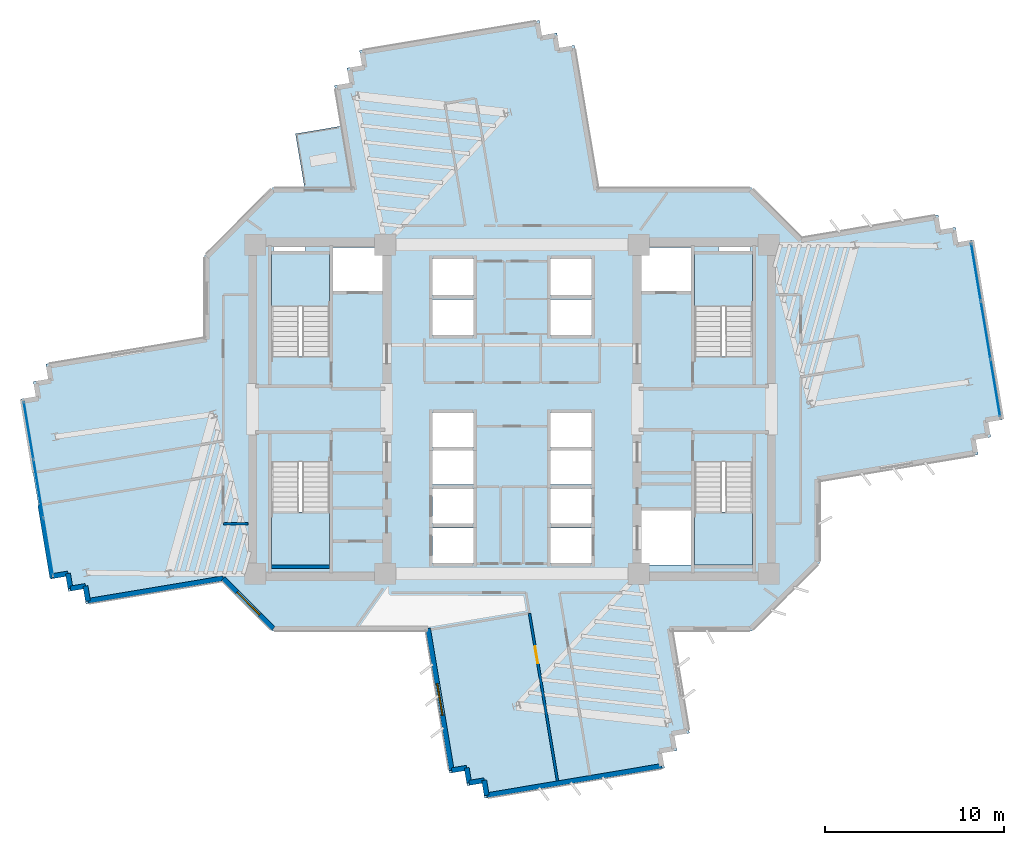
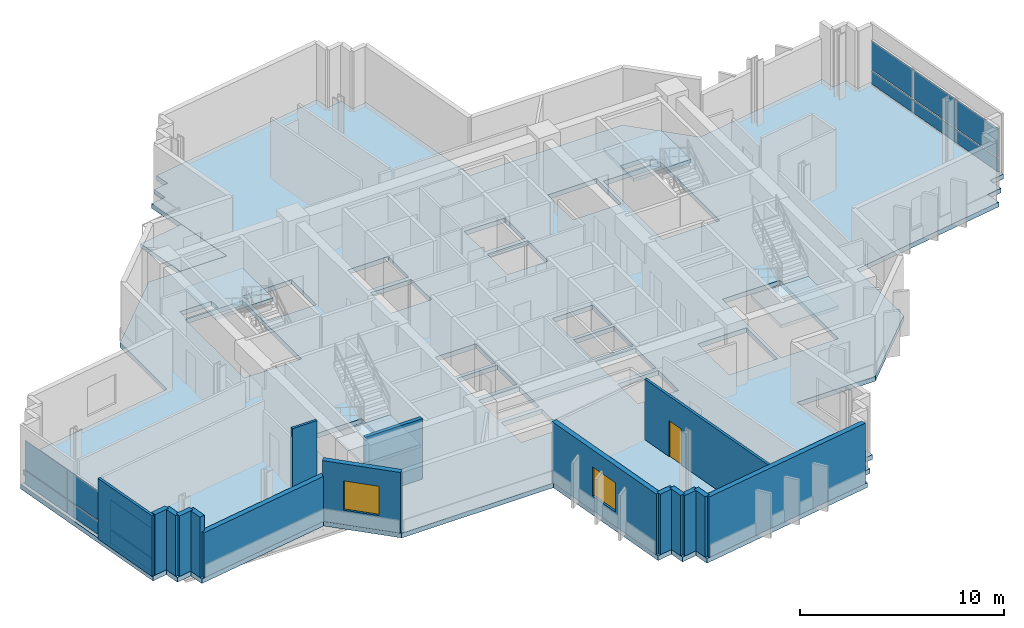
# One storey, part 6 of 15: 16 walls, 12 plates, 6 slabs, 2 windows, 1 door, 3 openings, 6 elements without a shape of their own.
"""IFC4 building model written with IfcOpenShell, lengths in metres."""

from ifc_helpers import new_model, si_unit, direction, frame, frame_2d, origin, origin_2d, place, context, subcontext, project, spatial, polyline, rectangle, outline, extrude, source, transform, mapped, material, layer, layer_set, type_object, element, fill, aggregate, save


model = new_model("IFC4")

# Units and contexts
model_context = context("Model", 3, precision=1e-05, world=origin(), true_north=direction((0.0, 1.0)))
body_context = subcontext(model_context, "Body", "Model", "MODEL_VIEW")
ifc_project = project(units=[si_unit("LENGTHUNIT", "METRE"), si_unit("AREAUNIT", "SQUARE_METRE"), si_unit("VOLUMEUNIT", "CUBIC_METRE"), si_unit("PLANEANGLEUNIT", "RADIAN"), si_unit("MASSUNIT", "GRAM", prefix="KILO")], contexts=[model_context])

# Site, building, storey
site_placement = place(None, origin())
site = spatial("IfcSite", under=ifc_project, at=site_placement, CompositionType="ELEMENT")
building_placement = place(site_placement, origin())
building = spatial("IfcBuilding", under=site, at=building_placement, Name="Zahravan Cultural Tower", CompositionType="ELEMENT")
storey_placement = place(building_placement, frame((0.0, 0.0, 135.60009765625)))
storey = spatial("IfcBuildingStorey", under=building, at=storey_placement, Name="L30", CompositionType="ELEMENT", Elevation=135.60009765625)

# Slab
ifc_material_1 = material(Name="Concrete C45/55", Category="concrete")
ifc_layer_1 = layer(ifc_material_1, 0.280029296875)
ifc_layer_set_1 = layer_set([ifc_layer_1], Name="Concrete C45/55")
slab_type_1 = type_object("IfcSlabType", Name="SL-LIB-280", PredefinedType="FLOOR", material=ifc_layer_set_1)
slab_1_placement = place(storey_placement, frame((0.0, 0.0, -0.280029296875)))
element("IfcSlab", 1, at=slab_1_placement, inside=storey, type_object=slab_type_1, Name="L30 Structural Floor Slab", PredefinedType="FLOOR", context=body_context, shape_type="SweptSolid", body=[
    extrude(outline(polyline([(52.1953125, 36.604736328125), (49.39990234375, 39.39990234375), (40.819580078125, 39.39990234375), (39.48828125, 47.35498046875), (38.64990234375, 47.214599609375), (38.509765625, 48.052978515625), (37.67138671875, 47.91259765625), (37.531005859375, 48.7509765625), (27.470947265625, 47.0673828125), (27.611083984375, 46.229248046875), (26.77294921875, 46.0888671875), (26.9130859375, 45.25048828125), (26.07470703125, 45.110107421875), (27.030517578125, 39.39990234375), (22.60009765625, 39.39990234375), (18.800048828125, 35.60009765625), (18.800048828125, 31.01611328125), (9.9248046875, 29.531005859375), (10.06494140625, 28.692626953125), (9.2265625, 28.552490234375), (9.366943359375, 27.714111328125), (8.528564453125, 27.57373046875), (10.2119140625, 17.513671875), (11.05029296875, 17.65380859375), (11.190673828125, 16.815673828125), (12.029052734375, 16.955810546875), (12.169189453125, 16.11767578125), (19.8046875, 17.395263671875), (22.60009765625, 14.60009765625), (31.180419921875, 14.60009765625), (32.51171875, 6.64501953125), (33.35009765625, 6.785400390625), (33.490234375, 5.947021484375), (34.32861328125, 6.08740234375), (34.468994140625, 5.2490234375), (44.529052734375, 6.9326171875), (44.388916015625, 7.770751953125), (45.22705078125, 7.9111328125), (45.0869140625, 8.74951171875), (45.92529296875, 8.889892578125), (44.969482421875, 14.60009765625), (49.39990234375, 14.60009765625), (53.199951171875, 18.39990234375), (53.199951171875, 22.98388671875), (62.0751953125, 24.468994140625), (61.93505859375, 25.307373046875), (62.7734375, 25.447509765625), (62.633056640625, 26.285888671875), (63.471435546875, 26.42626953125), (61.7880859375, 36.486328125), (60.94970703125, 36.34619140625), (60.809326171875, 37.184326171875), (59.970947265625, 37.044189453125), (59.830810546875, 37.88232421875), (52.1953125, 36.604736328125)]), holes=[polyline([(22.550048828125, 29.949951171875), (22.550048828125, 35.699951171875), (25.800048828125, 35.699951171875), (25.800048828125, 29.949951171875), (22.550048828125, 29.949951171875)]), polyline([(22.550048828125, 18.300048828125), (22.550048828125, 24.050048828125), (25.800048828125, 24.050048828125), (25.800048828125, 18.300048828125), (22.550048828125, 18.300048828125)]), polyline([(46.199951171875, 29.949951171875), (46.199951171875, 35.699951171875), (49.449951171875, 35.699951171875), (49.449951171875, 29.949951171875), (46.199951171875, 29.949951171875)]), polyline([(46.199951171875, 18.300048828125), (46.199951171875, 24.050048828125), (49.449951171875, 24.050048828125), (49.449951171875, 18.300048828125), (46.199951171875, 18.300048828125)]), polyline([(26.0, 33.60009765625), (26.0, 36.050048828125), (28.75, 36.050048828125), (28.75, 33.60009765625), (26.0, 33.60009765625)]), polyline([(43.25, 33.60009765625), (43.25, 36.050048828125), (46.0, 36.050048828125), (46.0, 33.60009765625), (43.25, 33.60009765625)]), polyline([(43.25, 18.300048828125), (43.25, 21.35009765625), (46.0, 21.35009765625), (46.0, 18.300048828125), (43.25, 18.300048828125)]), polyline([(31.550048828125, 33.39990234375), (31.550048828125, 35.39990234375), (33.85009765625, 35.39990234375), (33.85009765625, 33.39990234375), (31.550048828125, 33.39990234375)]), polyline([(31.550048828125, 31.14990234375), (31.550048828125, 33.14990234375), (33.85009765625, 33.14990234375), (33.85009765625, 31.14990234375), (31.550048828125, 31.14990234375)]), polyline([(38.14990234375, 33.39990234375), (38.14990234375, 35.39990234375), (40.449951171875, 35.39990234375), (40.449951171875, 33.39990234375), (38.14990234375, 33.39990234375)]), polyline([(38.14990234375, 31.14990234375), (38.14990234375, 33.14990234375), (40.449951171875, 33.14990234375), (40.449951171875, 31.14990234375), (38.14990234375, 31.14990234375)]), polyline([(31.550048828125, 20.60009765625), (31.550048828125, 22.550048828125), (33.85009765625, 22.550048828125), (33.85009765625, 20.60009765625), (31.550048828125, 20.60009765625)]), polyline([(31.550048828125, 18.39990234375), (31.550048828125, 20.35009765625), (33.85009765625, 20.35009765625), (33.85009765625, 18.39990234375), (31.550048828125, 18.39990234375)]), polyline([(38.14990234375, 20.60009765625), (38.14990234375, 22.550048828125), (40.449951171875, 22.550048828125), (40.449951171875, 20.60009765625), (38.14990234375, 20.60009765625)]), polyline([(38.14990234375, 18.39990234375), (38.14990234375, 20.35009765625), (40.449951171875, 20.35009765625), (40.449951171875, 18.39990234375), (38.14990234375, 18.39990234375)]), polyline([(31.550048828125, 24.89990234375), (31.550048828125, 26.800048828125), (33.85009765625, 26.800048828125), (33.85009765625, 24.89990234375), (31.550048828125, 24.89990234375)]), polyline([(31.550048828125, 22.800048828125), (31.550048828125, 24.699951171875), (33.85009765625, 24.699951171875), (33.85009765625, 22.800048828125), (31.550048828125, 22.800048828125)]), polyline([(38.14990234375, 24.89990234375), (38.14990234375, 26.800048828125), (40.449951171875, 26.800048828125), (40.449951171875, 24.89990234375), (38.14990234375, 24.89990234375)]), polyline([(38.14990234375, 22.800048828125), (38.14990234375, 24.699951171875), (40.449951171875, 24.699951171875), (40.449951171875, 22.800048828125), (38.14990234375, 22.800048828125)]), polyline([(22.64990234375, 35.800048828125), (22.64990234375, 36.419921875), (24.449951171875, 36.419921875), (24.449951171875, 35.800048828125), (22.64990234375, 35.800048828125)]), polyline([(47.550048828125, 35.800048828125), (47.550048828125, 36.419921875), (49.35009765625, 36.419921875), (49.35009765625, 35.800048828125), (47.550048828125, 35.800048828125)])]), origin(), (0.0, 0.0, 1.0), 0.280029296875),
])

# Stair, slab
stair_type = type_object("IfcStairType", Name="STR-DL-1550-390", PredefinedType="HALF_TURN_STAIR", material=ifc_material_1)
stair_1_placement = place(storey_placement, origin())
stair_1 = element("IfcStair", 2, at=stair_1_placement, inside=storey, type_object=stair_type, Name="L30 West Core North Exit Stair ST-W1", PredefinedType="HALF_TURN_STAIR")
ifc_layer_2 = layer(ifc_material_1, 0.199951171875)
ifc_layer_set_2 = layer_set([ifc_layer_2], Name="Concrete C45/55")
slab_type_2 = type_object("IfcSlabType", Name="SL-STAIR-LND200", PredefinedType="LANDING", material=ifc_layer_set_2)
slab_2_placement = place(storey_placement, frame((0.0, 0.0, 1.75)))
slab_2 = element("IfcSlab", 3, at=slab_2_placement, type_object=slab_type_2, Name="ST-W1 landing 1", PredefinedType="LANDING", context=body_context, shape_type="SweptSolid", body=[
    extrude(outline(polyline([(25.800048828125, 32.75), (25.800048828125, 35.699951171875), (22.550048828125, 35.699951171875), (22.550048828125, 32.75), (25.800048828125, 32.75)])), origin(), (0.0, 0.0, 1.0), 0.199951171875),
])
aggregate(stair_1, [slab_2])

stair_2_placement = place(storey_placement, origin())
stair_2 = element("IfcStair", 4, at=stair_2_placement, inside=storey, type_object=stair_type, Name="L30 West Core South Exit Stair ST-W2", PredefinedType="HALF_TURN_STAIR")
slab_3_placement = place(storey_placement, frame((0.0, 0.0, 1.75)))
slab_3 = element("IfcSlab", 5, at=slab_3_placement, type_object=slab_type_2, Name="ST-W2 landing 1", PredefinedType="LANDING", context=body_context, shape_type="SweptSolid", body=[
    extrude(outline(polyline([(22.550048828125, 21.25), (22.550048828125, 18.300048828125), (25.800048828125, 18.300048828125), (25.800048828125, 21.25), (22.550048828125, 21.25)])), origin(), (0.0, 0.0, 1.0), 0.199951171875),
])
aggregate(stair_2, [slab_3])

stair_3_placement = place(storey_placement, origin())
stair_3 = element("IfcStair", 6, at=stair_3_placement, inside=storey, type_object=stair_type, Name="L30 East Core North Exit Stair ST-E1", PredefinedType="HALF_TURN_STAIR")
slab_4_placement = place(storey_placement, frame((0.0, 0.0, 1.75)))
slab_4 = element("IfcSlab", 7, at=slab_4_placement, type_object=slab_type_2, Name="ST-E1 landing 1", PredefinedType="LANDING", context=body_context, shape_type="SweptSolid", body=[
    extrude(outline(polyline([(49.449951171875, 32.75), (49.449951171875, 35.699951171875), (46.199951171875, 35.699951171875), (46.199951171875, 32.75), (49.449951171875, 32.75)])), origin(), (0.0, 0.0, 1.0), 0.199951171875),
])
aggregate(stair_3, [slab_4])

stair_4_placement = place(storey_placement, origin())
stair_4 = element("IfcStair", 8, at=stair_4_placement, inside=storey, type_object=stair_type, Name="L30 East Core South Exit Stair ST-E2", PredefinedType="HALF_TURN_STAIR")
slab_5_placement = place(storey_placement, frame((0.0, 0.0, 1.75)))
slab_5 = element("IfcSlab", 9, at=slab_5_placement, type_object=slab_type_2, Name="ST-E2 landing 1", PredefinedType="LANDING", context=body_context, shape_type="SweptSolid", body=[
    extrude(outline(polyline([(46.199951171875, 21.25), (46.199951171875, 18.300048828125), (49.449951171875, 18.300048828125), (49.449951171875, 21.25), (46.199951171875, 21.25)])), origin(), (0.0, 0.0, 1.0), 0.199951171875),
])
aggregate(stair_4, [slab_5])

# Slab
ifc_material_2 = material(Name="Concrete C40/50", Category="concrete")
ifc_layer_3 = layer(ifc_material_2, 0.239990234375)
ifc_layer_set_3 = layer_set([ifc_layer_3], Name="Concrete C40/50")
slab_type_3 = type_object("IfcSlabType", Name="SL-TERR-240", PredefinedType="FLOOR", material=ifc_layer_set_3)
slab_6_placement = place(storey_placement, frame((0.0, 0.0, -0.239990234375)))
element("IfcSlab", 10, at=slab_6_placement, inside=storey, type_object=slab_type_3, Name="L30 Planted Sculpture Terrace NW", PredefinedType="FLOOR", context=body_context, shape_type="SweptSolid", body=[
    extrude(outline(polyline([(23.89013671875, 42.41259765625), (24.393310546875, 39.405029296875), (27.0244140625, 39.405029296875), (26.449462890625, 42.841064453125), (23.89013671875, 42.41259765625)])), origin(), (0.0, 0.0, 1.0), 0.239990234375),
])

# Curtain wall, plates
ifc_material_3 = material(Name="Anodised bronze-aluminium mullion", Category="aluminium")
ifc_layer_4 = layer(ifc_material_3, 0.199951171875)
ifc_layer_set_4 = layer_set([ifc_layer_4], Name="Anodised bronze-aluminium mullion")
curtain_wall_type_1 = type_object("IfcCurtainWallType", Name="CW-SYS-2", PredefinedType="USERDEFINED", material=ifc_layer_set_4)
curtain_wall_1_placement = place(storey_placement, origin())
curtain_wall_1 = element("IfcCurtainWall", 11, at=curtain_wall_1_placement, inside=storey, type_object=curtain_wall_type_1, Name="L30 Recessed Curtain Wall CW-2.1", ObjectType="RECESSED GLAZING", PredefinedType="USERDEFINED")
ifc_material_4 = material(Name="Low-E solar-control double glazing", Category="glass")
ifc_layer_5 = layer(ifc_material_4, 0.030029296875)
ifc_layer_set_5 = layer_set([ifc_layer_5], Name="Low-E solar-control double glazing")
plate_type_1 = type_object("IfcPlateType", Name="CWP-CW-2", PredefinedType="CURTAIN_PANEL", material=ifc_layer_set_5)
shared_shape_1 = source(origin(), body_context, "Body", "SweptSolid", [
    extrude(rectangle(XDim=3.194091796875, YDim=0.030029296875, at=origin_2d()), origin(), (0.0, 0.0, 1.0), 0.78759765625),
])
plate_1_placement = place(storey_placement, frame((61.948974609375, 34.676025390625, 0.074951171875), z_axis=(0.0, 0.0, 1.0), x_axis=(0.165051199491, -0.986285000163, 0.0)))
plate_1 = element("IfcPlate", 12, at=plate_1_placement, type_object=plate_type_1, Name="CW-2 panel 1.1", PredefinedType="CURTAIN_PANEL", context=body_context, shape_type="MappedRepresentation", body=[
    mapped(shared_shape_1, transform((0.0, 0.0, 0.0), x_axis=(1.0, 0.0, 0.0), y_axis=(0.0, 1.0, 0.0), z_axis=(0.0, 0.0, 1.0), scale=1.0)),
])
plate_2_placement = place(storey_placement, frame((63.034423828125, 28.1904296875, 0.074951171875), z_axis=(0.0, 0.0, 1.0), x_axis=(0.165051199491, -0.986285000163, 0.0)))
plate_2 = element("IfcPlate", 13, at=plate_2_placement, type_object=plate_type_1, Name="CW-2 panel 3.1", PredefinedType="CURTAIN_PANEL", context=body_context, shape_type="MappedRepresentation", body=[
    mapped(shared_shape_1, transform((0.0, 0.0, 0.0), x_axis=(1.0, 0.0, 0.0), y_axis=(0.0, 1.0, 0.0), z_axis=(0.0, 0.0, 1.0), scale=1.0)),
])
shared_shape_2 = source(origin(), body_context, "Body", "SweptSolid", [
    extrude(rectangle(XDim=3.231689453125, YDim=0.030029296875, at=origin_2d()), origin(), (0.0, 0.0, 1.0), 0.78759765625),
])
plate_3_placement = place(storey_placement, frame((62.49169921875, 31.43310546875, 0.074951171875), z_axis=(0.0, 0.0, 1.0), x_axis=(0.165051199491, -0.986285000163, 0.0)))
plate_3 = element("IfcPlate", 14, at=plate_3_placement, type_object=plate_type_1, Name="CW-2 panel 2.1", PredefinedType="CURTAIN_PANEL", context=body_context, shape_type="MappedRepresentation", body=[
    mapped(shared_shape_2, transform((0.0, 0.0, 0.0), x_axis=(1.0, 0.0, 0.0), y_axis=(0.0, 1.0, 0.0), z_axis=(0.0, 0.0, 1.0), scale=1.0)),
])
shared_shape_3 = source(origin(), body_context, "Body", "SweptSolid", [
    extrude(rectangle(XDim=3.194091796875, YDim=0.030029296875, at=origin_2d()), origin(), (0.0, 0.0, 1.0), 1.7275390625),
])
plate_4_placement = place(storey_placement, frame((61.948974609375, 34.676025390625, 0.9375), z_axis=(0.0, 0.0, 1.0), x_axis=(0.165051199491, -0.986285000163, 0.0)))
plate_4 = element("IfcPlate", 15, at=plate_4_placement, type_object=plate_type_1, Name="CW-2 panel 1.2", PredefinedType="CURTAIN_PANEL", context=body_context, shape_type="MappedRepresentation", body=[
    mapped(shared_shape_3, transform((0.0, 0.0, 0.0), x_axis=(1.0, 0.0, 0.0), y_axis=(0.0, 1.0, 0.0), z_axis=(0.0, 0.0, 1.0), scale=1.0)),
])
plate_5_placement = place(storey_placement, frame((63.034423828125, 28.1904296875, 0.9375), z_axis=(0.0, 0.0, 1.0), x_axis=(0.165051199491, -0.986285000163, 0.0)))
plate_5 = element("IfcPlate", 16, at=plate_5_placement, type_object=plate_type_1, Name="CW-2 panel 3.2", PredefinedType="CURTAIN_PANEL", context=body_context, shape_type="MappedRepresentation", body=[
    mapped(shared_shape_3, transform((0.0, 0.0, 0.0), x_axis=(1.0, 0.0, 0.0), y_axis=(0.0, 1.0, 0.0), z_axis=(0.0, 0.0, 1.0), scale=1.0)),
])
shared_shape_4 = source(origin(), body_context, "Body", "SweptSolid", [
    extrude(rectangle(XDim=3.231689453125, YDim=0.030029296875, at=origin_2d()), origin(), (0.0, 0.0, 1.0), 1.7275390625),
])
plate_6_placement = place(storey_placement, frame((62.49169921875, 31.43310546875, 0.9375), z_axis=(0.0, 0.0, 1.0), x_axis=(0.165051199491, -0.986285000163, 0.0)))
plate_6 = element("IfcPlate", 17, at=plate_6_placement, type_object=plate_type_1, Name="CW-2 panel 2.2", PredefinedType="CURTAIN_PANEL", context=body_context, shape_type="MappedRepresentation", body=[
    mapped(shared_shape_4, transform((0.0, 0.0, 0.0), x_axis=(1.0, 0.0, 0.0), y_axis=(0.0, 1.0, 0.0), z_axis=(0.0, 0.0, 1.0), scale=1.0)),
])
aggregate(curtain_wall_1, [plate_1, plate_4, plate_3, plate_6, plate_2, plate_5])

ifc_layer_6 = layer(ifc_material_3, 0.179931640625)
ifc_layer_set_6 = layer_set([ifc_layer_6], Name="Anodised bronze-aluminium mullion")
curtain_wall_type_2 = type_object("IfcCurtainWallType", Name="CW-SYS-3", PredefinedType="USERDEFINED", material=ifc_layer_set_6)
curtain_wall_2_placement = place(storey_placement, origin())
curtain_wall_2 = element("IfcCurtainWall", 18, at=curtain_wall_2_placement, inside=storey, type_object=curtain_wall_type_2, Name="L30 Recessed Curtain Wall CW-3.2", ObjectType="RECESSED GLAZING", PredefinedType="USERDEFINED")
ifc_layer_7 = layer(ifc_material_4, 0.028076171875)
ifc_layer_set_7 = layer_set([ifc_layer_7], Name="Low-E solar-control double glazing")
plate_type_2 = type_object("IfcPlateType", Name="CWP-CW-3", PredefinedType="CURTAIN_PANEL", material=ifc_layer_set_7)
shared_shape_5 = source(origin(), body_context, "Body", "SweptSolid", [
    extrude(rectangle(XDim=3.20166015625, YDim=0.028076171875, at=origin_2d()), origin(), (0.0, 0.0, 1.0), 0.794921875),
])
plate_7_placement = place(storey_placement, frame((10.05126953125, 19.32275390625, 0.06982421875), z_axis=(0.0, 0.0, 1.0), x_axis=(-0.165051199491, 0.986285000163, 0.0)))
plate_7 = element("IfcPlate", 19, at=plate_7_placement, type_object=plate_type_2, Name="CW-3 panel 1.1", PredefinedType="CURTAIN_PANEL", context=body_context, shape_type="MappedRepresentation", body=[
    mapped(shared_shape_5, transform((0.0, 0.0, 0.0), x_axis=(1.0, 0.0, 0.0), y_axis=(0.0, 1.0, 0.0), z_axis=(0.0, 0.0, 1.0), scale=1.0)),
])
plate_8_placement = place(storey_placement, frame((8.965576171875, 25.810791015625, 0.06982421875), z_axis=(0.0, 0.0, 1.0), x_axis=(-0.165051199491, 0.986285000163, 0.0)))
plate_8 = element("IfcPlate", 20, at=plate_8_placement, type_object=plate_type_2, Name="CW-3 panel 3.1", PredefinedType="CURTAIN_PANEL", context=body_context, shape_type="MappedRepresentation", body=[
    mapped(shared_shape_5, transform((0.0, 0.0, 0.0), x_axis=(1.0, 0.0, 0.0), y_axis=(0.0, 1.0, 0.0), z_axis=(0.0, 0.0, 1.0), scale=1.0)),
])
shared_shape_6 = source(origin(), body_context, "Body", "SweptSolid", [
    extrude(rectangle(XDim=3.20166015625, YDim=0.028076171875, at=origin_2d()), origin(), (0.0, 0.0, 1.0), 1.735107421875),
])
plate_9_placement = place(storey_placement, frame((10.05126953125, 19.32275390625, 0.93505859375), z_axis=(0.0, 0.0, 1.0), x_axis=(-0.165051199491, 0.986285000163, 0.0)))
plate_9 = element("IfcPlate", 21, at=plate_9_placement, type_object=plate_type_2, Name="CW-3 panel 1.2", PredefinedType="CURTAIN_PANEL", context=body_context, shape_type="MappedRepresentation", body=[
    mapped(shared_shape_6, transform((0.0, 0.0, 0.0), x_axis=(1.0, 0.0, 0.0), y_axis=(0.0, 1.0, 0.0), z_axis=(0.0, 0.0, 1.0), scale=1.0)),
])
plate_10_placement = place(storey_placement, frame((8.965576171875, 25.810791015625, 0.93505859375), z_axis=(0.0, 0.0, 1.0), x_axis=(-0.165051199491, 0.986285000163, 0.0)))
plate_10 = element("IfcPlate", 22, at=plate_10_placement, type_object=plate_type_2, Name="CW-3 panel 3.2", PredefinedType="CURTAIN_PANEL", context=body_context, shape_type="MappedRepresentation", body=[
    mapped(shared_shape_6, transform((0.0, 0.0, 0.0), x_axis=(1.0, 0.0, 0.0), y_axis=(0.0, 1.0, 0.0), z_axis=(0.0, 0.0, 1.0), scale=1.0)),
])
shared_shape_7 = source(origin(), body_context, "Body", "SweptSolid", [
    extrude(rectangle(XDim=3.236572265625, YDim=0.028076171875, at=origin_2d()), origin(), (0.0, 0.0, 1.0), 0.794921875),
])
plate_11_placement = place(storey_placement, frame((9.50830078125, 22.56689453125, 0.06982421875), z_axis=(0.0, 0.0, 1.0), x_axis=(-0.165051199491, 0.986285000163, 0.0)))
plate_11 = element("IfcPlate", 23, at=plate_11_placement, type_object=plate_type_2, Name="CW-3 panel 2.1", PredefinedType="CURTAIN_PANEL", context=body_context, shape_type="MappedRepresentation", body=[
    mapped(shared_shape_7, transform((0.0, 0.0, 0.0), x_axis=(1.0, 0.0, 0.0), y_axis=(0.0, 1.0, 0.0), z_axis=(0.0, 0.0, 1.0), scale=1.0)),
])
shared_shape_8 = source(origin(), body_context, "Body", "SweptSolid", [
    extrude(rectangle(XDim=3.236572265625, YDim=0.028076171875, at=origin_2d()), origin(), (0.0, 0.0, 1.0), 1.735107421875),
])
plate_12_placement = place(storey_placement, frame((9.50830078125, 22.56689453125, 0.93505859375), z_axis=(0.0, 0.0, 1.0), x_axis=(-0.165051199491, 0.986285000163, 0.0)))
plate_12 = element("IfcPlate", 24, at=plate_12_placement, type_object=plate_type_2, Name="CW-3 panel 2.2", PredefinedType="CURTAIN_PANEL", context=body_context, shape_type="MappedRepresentation", body=[
    mapped(shared_shape_8, transform((0.0, 0.0, 0.0), x_axis=(1.0, 0.0, 0.0), y_axis=(0.0, 1.0, 0.0), z_axis=(0.0, 0.0, 1.0), scale=1.0)),
])
aggregate(curtain_wall_2, [plate_7, plate_9, plate_11, plate_12, plate_8, plate_10])

# Wall, opening, window
ifc_material_5 = material(Name="Precast concrete C40/50", Category="concrete")
ifc_layer_8 = layer(ifc_material_5, 0.280029296875)
ifc_layer_set_8 = layer_set([ifc_layer_8], Name="Precast concrete C40/50")
wall_type_1 = type_object("IfcWallType", Name="EW-TC-280", PredefinedType="SOLIDWALL", material=ifc_layer_set_8)
wall_1_placement = place(storey_placement, frame((32.626708984375, 6.806396484375, 0.0), z_axis=(0.0, 0.0, 1.0), x_axis=(-0.165048626668, 0.986285430712, 0.0)))
wall_1 = element("IfcWall", 25, at=wall_1_placement, inside=storey, type_object=wall_type_1, Name="L30 Exterior Masonry Frame Wall 24", PredefinedType="SOLIDWALL", context=body_context, shape_type="SweptSolid", body=[
    extrude(rectangle(XDim=8.0439453125, YDim=0.280029296875, at=frame_2d((4.02197265625, 0.0))), origin(), (0.0, 0.0, 1.0), 3.619873046875),
])
opening_1_placement = place(wall_1_placement, frame((3.1220703125, 0.0, 0.85009765625)))
opening_1 = element("IfcOpeningElement", 26, at=opening_1_placement, cuts=wall_1, Name="Opening WN-02", PredefinedType="OPENING", context=body_context, shape_type="SweptSolid", body=[
    extrude(rectangle(XDim=1.800048828125, YDim=1.75, at=frame_2d((0.89990234375, 0.875))), frame((0.0, 0.14990234375, 0.0), z_axis=(0.0, -1.0, 0.0), x_axis=(1.0, 0.0, 0.0)), (0.0, 0.0, 1.0), 0.300048828125),
])
window_type = type_object("IfcWindowType", Name="WN-REC-1800X1750", PartitioningType="DOUBLE_PANEL_VERTICAL", PredefinedType="WINDOW", material=ifc_material_4)
shared_shape_9 = source(origin(), body_context, "Body", "SweptSolid", [
    extrude(rectangle(XDim=1.800048828125, YDim=1.75, at=frame_2d((0.89990234375, 0.875))), frame((0.0, 0.030029296875, 0.0), z_axis=(0.0, -1.0, 0.0), x_axis=(1.0, 0.0, 0.0)), (0.0, 0.0, 1.0), 0.06005859375),
])
window_1_placement = place(opening_1_placement, origin())
window_1 = element("IfcWindow", 27, at=window_1_placement, inside=storey, type_object=window_type, Name="L30 Recessed Solar Window 05", OverallHeight=1.75, OverallWidth=1.800048828125, PartitioningType="DOUBLE_PANEL_VERTICAL", PredefinedType="WINDOW", context=body_context, shape_type="MappedRepresentation", body=[
    mapped(shared_shape_9, transform((0.0, 0.0, 0.0), x_axis=(1.0, 0.0, 0.0), y_axis=(0.0, 1.0, 0.0), z_axis=(0.0, 0.0, 1.0), scale=1.0)),
])
fill(opening_1, window_1)

wall_2_placement = place(storey_placement, frame((22.657958984375, 14.739990234375, 0.0), z_axis=(0.0, 0.0, 1.0), x_axis=(-0.707076011326, 0.707137549708, 0.0)))
wall_2 = element("IfcWall", 28, at=wall_2_placement, inside=storey, type_object=wall_type_1, Name="L30 Exterior Masonry Frame Wall 26", PredefinedType="SOLIDWALL", context=body_context, shape_type="SweptSolid", body=[
    extrude(rectangle(XDim=3.96728515625, YDim=0.280029296875, at=frame_2d((1.983642578125, 0.0))), origin(), (0.0, 0.0, 1.0), 3.619873046875),
])
opening_2_placement = place(wall_2_placement, frame((1.083984375, 0.0, 0.85009765625)))
opening_2 = element("IfcOpeningElement", 29, at=opening_2_placement, cuts=wall_2, Name="Opening WN-02", PredefinedType="OPENING", context=body_context, shape_type="SweptSolid", body=[
    extrude(rectangle(XDim=1.800048828125, YDim=1.75, at=frame_2d((0.89990234375, 0.875))), frame((0.0, 0.14990234375, 0.0), z_axis=(0.0, -1.0, 0.0), x_axis=(1.0, 0.0, 0.0)), (0.0, 0.0, 1.0), 0.300048828125),
])
window_2_placement = place(opening_2_placement, origin())
window_2 = element("IfcWindow", 30, at=window_2_placement, inside=storey, type_object=window_type, Name="L30 Recessed Solar Window 06", OverallHeight=1.75, OverallWidth=1.800048828125, PartitioningType="DOUBLE_PANEL_VERTICAL", PredefinedType="WINDOW", context=body_context, shape_type="MappedRepresentation", body=[
    mapped(shared_shape_9, transform((0.0, 0.0, 0.0), x_axis=(1.0, 0.0, 0.0), y_axis=(0.0, 1.0, 0.0), z_axis=(0.0, 0.0, 1.0), scale=1.0)),
])
fill(opening_2, window_2)

# Wall, opening, door
ifc_material_6 = material(Name="Gypsum plasterboard partition")
ifc_layer_9 = layer(ifc_material_6, 0.139892578125)
ifc_layer_set_9 = layer_set([ifc_layer_9], Name="Gypsum plasterboard partition")
wall_type_2 = type_object("IfcWallType", Name="W-PART-140", PredefinedType="PARTITIONING", material=ifc_layer_set_9)
wall_3_placement = place(storey_placement, frame((36.9775390625, 15.584716796875, 0.0), z_axis=(0.0, 0.0, 1.0), x_axis=(0.165024399413, -0.986289484684, 0.0)))
wall_3 = element("IfcWall", 31, at=wall_3_placement, inside=storey, type_object=wall_type_2, Name="L30 Interior Wall 096", PredefinedType="PARTITIONING", context=body_context, shape_type="SweptSolid", body=[
    extrude(rectangle(XDim=9.494873046875, YDim=0.139892578125, at=frame_2d((4.74755859375, 0.0))), origin(), (0.0, 0.0, 1.0), 3.619873046875),
])
opening_3_placement = place(wall_3_placement, frame((1.8798828125, 0.0, 0.0)))
opening_3 = element("IfcOpeningElement", 32, at=opening_3_placement, cuts=wall_3, Name="Opening D-L30-27", PredefinedType="OPENING", context=body_context, shape_type="SweptSolid", body=[
    extrude(rectangle(XDim=0.949951171875, YDim=2.14990234375, at=frame_2d((0.47509765625, 1.074951171875))), frame((0.0, 0.079833984375, 0.0), z_axis=(0.0, -1.0, 0.0), x_axis=(1.0, 0.0, 0.0)), (0.0, 0.0, 1.0), 0.159912109375),
])
door_type = type_object("IfcDoorType", Name="DR-ROOM-950", OperationType="NOTDEFINED", PredefinedType="DOOR", material=ifc_material_3)
shared_shape_10 = source(origin(), body_context, "Body", "SweptSolid", [
    extrude(rectangle(XDim=0.949951171875, YDim=2.14990234375, at=frame_2d((0.47509765625, 1.074951171875))), frame((0.0, 0.02490234375, 0.0), z_axis=(0.0, -1.0, 0.0), x_axis=(1.0, 0.0, 0.0)), (0.0, 0.0, 1.0), 0.050048828125),
])
door_placement = place(opening_3_placement, origin())
door = element("IfcDoor", 33, at=door_placement, inside=storey, type_object=door_type, Name="L30 Door D-L30-27", OperationType="SINGLE_SWING_RIGHT", OverallHeight=2.14990234375, OverallWidth=0.949951171875, PredefinedType="DOOR", context=body_context, shape_type="MappedRepresentation", body=[
    mapped(shared_shape_10, transform((0.0, 0.0, 0.0), x_axis=(1.0, 0.0, 0.0), y_axis=(0.0, 1.0, 0.0), z_axis=(0.0, 0.0, 1.0), scale=1.0)),
])
fill(opening_3, door)

# Walls
shared_shape_11 = source(origin(), body_context, "Body", "SweptSolid", [
    extrude(rectangle(XDim=7.673828125, YDim=0.280029296875, at=frame_2d((3.8369140625, 0.0))), origin(), (0.0, 0.0, 1.0), 2.69287109375),
])
wall_4_placement = place(storey_placement, frame((19.852783203125, 17.54541015625, 0.0), z_axis=(0.0, 0.0, 1.0), x_axis=(-0.986284504747, -0.165054159886, 0.0)))
element("IfcWall", 34, at=wall_4_placement, inside=storey, type_object=wall_type_1, Name="L30 Exterior Masonry Frame Wall 27", PredefinedType="SOLIDWALL", context=body_context, shape_type="MappedRepresentation", body=[
    mapped(shared_shape_11, transform((0.0, 0.0, 0.0), x_axis=(1.0, 0.0, 0.0), y_axis=(0.0, 1.0, 0.0), z_axis=(0.0, 0.0, 1.0), scale=1.0)),
])
shared_shape_12 = source(origin(), body_context, "Body", "SweptSolid", [
    extrude(rectangle(XDim=0.85009765625, YDim=0.280029296875, at=frame_2d((0.425048828125, 0.0))), origin(), (0.0, 0.0, 1.0), 3.619873046875),
])
for number, where, z_axis, x_axis, name in (
    (35, (34.583984375, 5.41015625, 0.0), (0.0, 0.0, 1.0), (-0.16514412658, 0.986269444653, 0.0), "L30 Exterior Masonry Frame Wall 20"),
    (36, (34.443603515625, 6.24853515625, 0.0), (0.0, 0.0, 1.0), (-0.986316186628, -0.164864732418, 0.0), "L30 Exterior Masonry Frame Wall 21"),
    (37, (33.465087890625, 6.946533203125, 0.0), (0.0, 0.0, 1.0), (-0.986316186628, -0.164864732418, 0.0), "L30 Exterior Masonry Frame Wall 23"),
    (38, (12.2841796875, 16.27880859375, 0.0), (0.0, 0.0, 1.0), (-0.164864732418, 0.986316186628, 0.0), "L30 Exterior Masonry Frame Wall 28"),
    (39, (12.14404296875, 17.1171875, 0.0), (0.0, 0.0, 1.0), (-0.986269444653, -0.16514412658, 0.0), "L30 Exterior Masonry Frame Wall 29"),
    (40, (11.3056640625, 16.976806640625, 0.0), (0.0, 0.0, 1.0), (-0.16514412658, 0.986269444653, 0.0), "L30 Exterior Masonry Frame Wall 30"),
    (41, (11.165283203125, 17.815185546875, 0.0), (0.0, 0.0, 1.0), (-0.986269444653, -0.16514412658, 0.0), "L30 Exterior Masonry Frame Wall 31"),
):
    element("IfcWall", number, at=place(storey_placement, frame(where, z_axis=z_axis, x_axis=x_axis)), inside=storey, type_object=wall_type_1, Name=name, PredefinedType="SOLIDWALL", context=body_context, shape_type="MappedRepresentation", body=[
        mapped(shared_shape_12, transform((0.0, 0.0, 0.0), x_axis=(1.0, 0.0, 0.0), y_axis=(0.0, 1.0, 0.0), z_axis=(0.0, 0.0, 1.0), scale=1.0)),
    ])
shared_shape_13 = source(origin(), body_context, "Body", "SweptSolid", [
    extrude(rectangle(XDim=0.849853515625, YDim=0.280029296875, at=frame_2d((0.4248046875, 0.0))), origin(), (0.0, 0.0, 1.0), 3.619873046875),
])
wall_5_placement = place(storey_placement, frame((33.605224609375, 6.1083984375, 0.0), z_axis=(0.0, 0.0, 1.0), x_axis=(-0.164911450083, 0.986308376539, 0.0)))
element("IfcWall", 42, at=wall_5_placement, inside=storey, type_object=wall_type_1, Name="L30 Exterior Masonry Frame Wall 22", PredefinedType="SOLIDWALL", context=body_context, shape_type="MappedRepresentation", body=[
    mapped(shared_shape_13, transform((0.0, 0.0, 0.0), x_axis=(1.0, 0.0, 0.0), y_axis=(0.0, 1.0, 0.0), z_axis=(0.0, 0.0, 1.0), scale=1.0)),
])
shared_shape_14 = source(origin(), body_context, "Body", "SweptSolid", [
    extrude(rectangle(XDim=9.919921875, YDim=0.280029296875, at=frame_2d((4.9599609375, 0.0))), origin(), (0.0, 0.0, 1.0), 3.619873046875),
])
wall_6_placement = place(storey_placement, frame((44.367919921875, 7.047607421875, 0.0), z_axis=(0.0, 0.0, 1.0), x_axis=(-0.986282616944, -0.165065440096, 0.0)))
element("IfcWall", 43, at=wall_6_placement, inside=storey, type_object=wall_type_1, Name="L30 Exterior Masonry Frame Wall 19", PredefinedType="SOLIDWALL", context=body_context, shape_type="MappedRepresentation", body=[
    mapped(shared_shape_14, transform((0.0, 0.0, 0.0), x_axis=(1.0, 0.0, 0.0), y_axis=(0.0, 1.0, 0.0), z_axis=(0.0, 0.0, 1.0), scale=1.0)),
])
ifc_layer_10 = layer(ifc_material_1, 0.199951171875)
ifc_layer_set_10 = layer_set([ifc_layer_10], Name="Concrete C45/55")
wall_type_3 = type_object("IfcWallType", Name="W-SHAFT-200", PredefinedType="SOLIDWALL", material=ifc_layer_set_10)
shared_shape_15 = source(origin(), body_context, "Body", "SweptSolid", [
    extrude(rectangle(XDim=3.25, YDim=0.199951171875, at=frame_2d((1.625, 0.0))), origin(), (0.0, 0.0, 1.0), 3.619873046875),
])
wall_7_placement = place(storey_placement, frame((22.550048828125, 18.199951171875, 0.0), z_axis=(0.0, 0.0, 1.0), x_axis=(1.0, 0.0, 0.0)))
element("IfcWall", 44, at=wall_7_placement, inside=storey, type_object=wall_type_3, Name="L30 Interior Wall 019", PredefinedType="SOLIDWALL", context=body_context, shape_type="MappedRepresentation", body=[
    mapped(shared_shape_15, transform((0.0, 0.0, 0.0), x_axis=(1.0, 0.0, 0.0), y_axis=(0.0, 1.0, 0.0), z_axis=(0.0, 0.0, 1.0), scale=1.0)),
])
shared_shape_16 = source(origin(), body_context, "Body", "SweptSolid", [
    extrude(rectangle(XDim=4.16015625, YDim=0.139892578125, at=frame_2d((2.080078125, 0.0))), origin(), (0.0, 0.0, 1.0), 3.619873046875),
])
wall_8_placement = place(storey_placement, frame((10.228515625, 17.53662109375, 0.0), z_axis=(0.0, 0.0, 1.0), x_axis=(-0.165084148129, 0.986279485763, 0.0)))
element("IfcWall", 45, at=wall_8_placement, inside=storey, type_object=wall_type_2, Name="L30 Interior Wall 105", PredefinedType="PARTITIONING", context=body_context, shape_type="MappedRepresentation", body=[
    mapped(shared_shape_16, transform((0.0, 0.0, 0.0), x_axis=(1.0, 0.0, 0.0), y_axis=(0.0, 1.0, 0.0), z_axis=(0.0, 0.0, 1.0), scale=1.0)),
])
shared_shape_17 = source(origin(), body_context, "Body", "SweptSolid", [
    extrude(rectangle(XDim=1.39404296875, YDim=0.139892578125, at=frame_2d((0.697021484375, 0.0))), origin(), (0.0, 0.0, 1.0), 3.619873046875),
])
wall_9_placement = place(storey_placement, frame((19.85107421875, 20.60107421875, 0.0), z_axis=(0.0, 0.0, 1.0), x_axis=(0.999999754632, -0.000700525222, 0.0)))
element("IfcWall", 46, at=wall_9_placement, inside=storey, type_object=wall_type_2, Name="L30 Interior Wall 108", PredefinedType="PARTITIONING", context=body_context, shape_type="MappedRepresentation", body=[
    mapped(shared_shape_17, transform((0.0, 0.0, 0.0), x_axis=(1.0, 0.0, 0.0), y_axis=(0.0, 1.0, 0.0), z_axis=(0.0, 0.0, 1.0), scale=1.0)),
])

save(model, "model.ifc")
